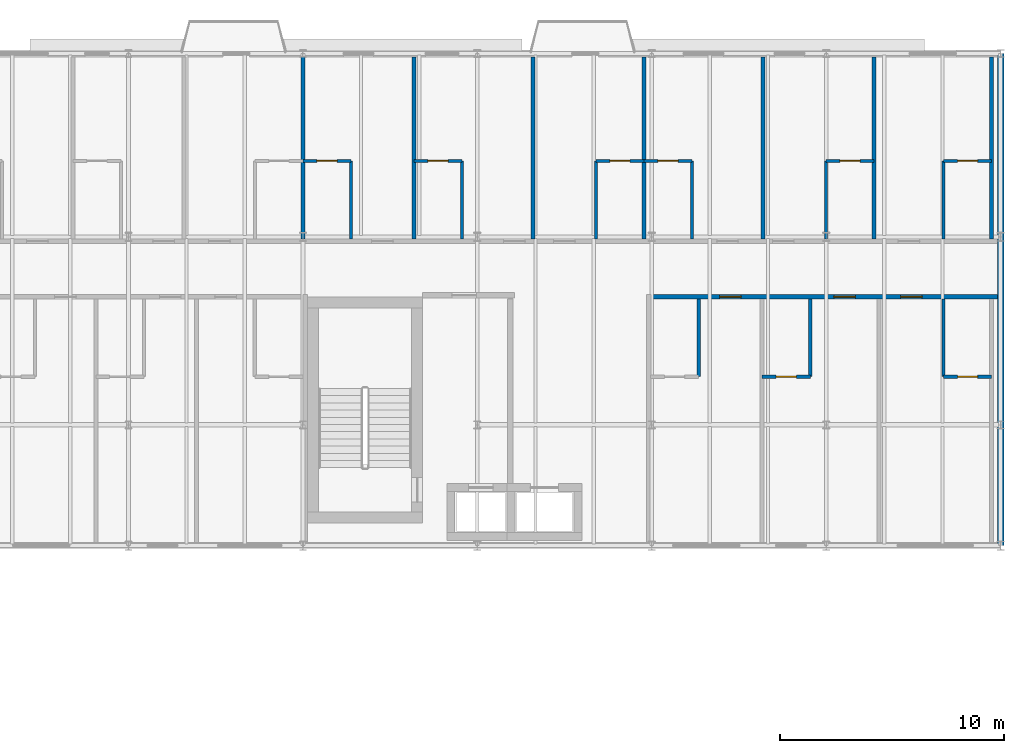
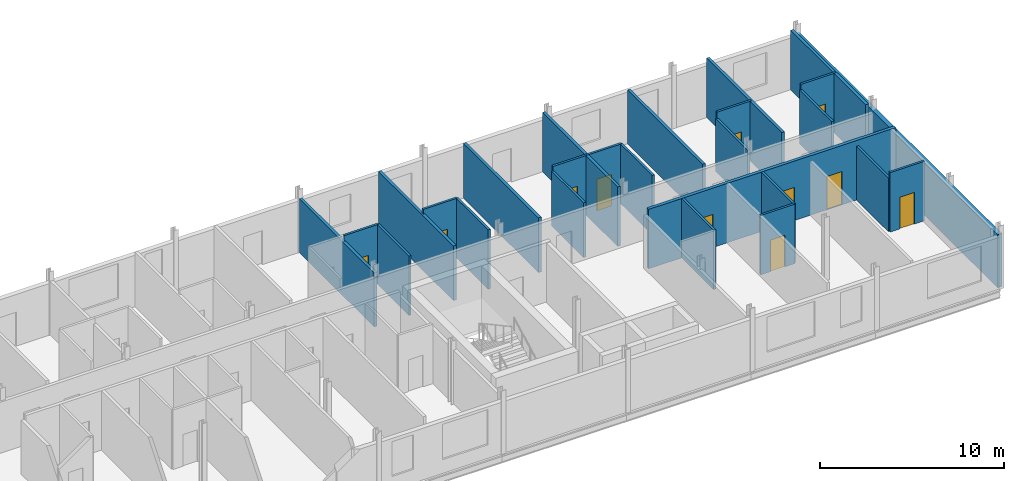
# One storey, part 17 of 22: 26 walls, 11 doors, 11 openings.
"""IFC4 building model written with IfcOpenShell, lengths in metres."""

from ifc_helpers import new_model, si_unit, direction, frame, frame_2d, origin, place, context, subcontext, project, spatial, rectangle, extrude, material, layer, layer_set, type_object, element, fill, save


model = new_model("IFC4")

# Units and contexts
model_context = context("Model", 3, precision=1e-05, world=origin(), true_north=direction((0.0, 1.0)))
body_context = subcontext(model_context, "Body", "Model", "MODEL_VIEW")
ifc_project = project(units=[si_unit("LENGTHUNIT", "METRE"), si_unit("AREAUNIT", "SQUARE_METRE"), si_unit("VOLUMEUNIT", "CUBIC_METRE"), si_unit("PLANEANGLEUNIT", "RADIAN"), si_unit("MASSUNIT", "GRAM", prefix="KILO")], contexts=[model_context])

# Site, building, storey
site_placement = place(None, origin())
site = spatial("IfcSite", under=ifc_project, at=site_placement, CompositionType="ELEMENT")
building_placement = place(site_placement, origin())
building = spatial("IfcBuilding", under=site, at=building_placement, Name="Sefraquen Railside Congress Hotel", CompositionType="ELEMENT")
storey_placement = place(building_placement, frame((0.0, 0.0, 42.60009765625)))
storey = spatial("IfcBuildingStorey", under=building, at=storey_placement, Name="L10", CompositionType="ELEMENT", Elevation=42.60009765625)

# Walls
ifc_material_1 = material(Name="Ochre Rabat calcarenite limestone and Concrete C40/50 backing", Category="masonry")
ifc_layer_1 = layer(ifc_material_1, 0.280029296875)
ifc_layer_set_1 = layer_set([ifc_layer_1], Name="Ochre Rabat calcarenite limestone and Concrete C40/50 backing")
wall_type_1 = type_object("IfcWallType", Name="TW-EW-280", PredefinedType="STANDARD", material=ifc_layer_set_1)
wall_1_placement = place(storey_placement, frame((95.39990234375, 96.0, 0.0), z_axis=(0.0, 0.0, 1.0), x_axis=(0.0, 1.0, 0.0)))
element("IfcWall", 1, at=wall_1_placement, inside=storey, type_object=wall_type_1, Name="Hotel L10 east gable facade wall", PredefinedType="STANDARD", context=body_context, shape_type="SweptSolid", body=[
    extrude(rectangle(XDim=22.0, YDim=0.280029296875, at=frame_2d((11.0, 0.0))), origin(), (0.0, 0.0, 1.0), 3.510009765625),
])
ifc_material_2 = material(Name="Moisture-resistant gypsum board", Category="gypsum")
ifc_layer_2 = layer(ifc_material_2, 0.139892578125)
ifc_layer_set_2 = layer_set([ifc_layer_2], Name="Moisture-resistant gypsum board")
wall_type_2 = type_object("IfcWallType", Name="TW-PW-140", PredefinedType="PARTITIONING", material=ifc_layer_set_2)
wall_2_placement = place(storey_placement, frame((66.35302734375, 109.699951171875, 0.0), z_axis=(0.0, 0.0, 1.0), x_axis=(0.0, 1.0, 0.0)))
element("IfcWall", 2, at=wall_2_placement, inside=storey, type_object=wall_type_2, Name="En-suite bathroom east wall RM-009", PredefinedType="PARTITIONING", context=body_context, shape_type="SweptSolid", body=[
    extrude(rectangle(XDim=3.5, YDim=0.139892578125, at=frame_2d((1.75, 0.0))), origin(), (0.0, 0.0, 1.0), 3.93994140625),
])

# Wall, opening, door
wall_3_placement = place(storey_placement, frame((64.202880859375, 113.199951171875, 0.0), z_axis=(0.0, 0.0, 1.0), x_axis=(1.0, 0.0, 0.0)))
wall_3 = element("IfcWall", 3, at=wall_3_placement, inside=storey, type_object=wall_type_2, Name="En-suite bathroom north wall RM-009", PredefinedType="PARTITIONING", context=body_context, shape_type="SweptSolid", body=[
    extrude(rectangle(XDim=2.150146484375, YDim=0.139892578125, at=frame_2d((1.0751953125, 0.0))), origin(), (0.0, 0.0, 1.0), 3.93994140625),
])
opening_1_placement = place(wall_3_placement, frame((0.625, 0.0, 0.0)))
opening_1 = element("IfcOpeningElement", 4, at=opening_1_placement, cuts=wall_3, Name="Opening ID-02", PredefinedType="OPENING", context=body_context, shape_type="SweptSolid", body=[
    extrude(rectangle(XDim=0.89990234375, YDim=2.10009765625, at=frame_2d((0.449951171875, 1.050048828125))), frame((0.0, 0.079833984375, 0.0), z_axis=(0.0, -1.0, 0.0), x_axis=(1.0, 0.0, 0.0)), (0.0, 0.0, 1.0), 0.159912109375),
])
ifc_material_3 = material(Name="Lacquered cedar joinery", Category="wood")
door_type_1 = type_object("IfcDoorType", Name="TD-ID-02", OperationType="NOTDEFINED", PredefinedType="DOOR", material=ifc_material_3)
door_1_placement = place(opening_1_placement, origin())
door_1 = element("IfcDoor", 5, at=door_1_placement, inside=storey, type_object=door_type_1, Name="En-suite bathroom door RM-009", OperationType="SINGLE_SWING_LEFT", OverallHeight=2.10009765625, OverallWidth=0.89990234375, PredefinedType="DOOR", context=body_context, shape_type="SweptSolid", body=[
    extrude(rectangle(XDim=0.89990234375, YDim=2.10009765625, at=frame_2d((0.449951171875, 1.050048828125))), frame((0.0, 0.02490234375, 0.0), z_axis=(0.0, -1.0, 0.0), x_axis=(1.0, 0.0, 0.0)), (0.0, 0.0, 1.0), 0.050048828125),
])
fill(opening_1, door_1)

# Wall
wall_4_placement = place(storey_placement, frame((71.31591796875, 109.699951171875, 0.0), z_axis=(0.0, 0.0, 1.0), x_axis=(0.0, 1.0, 0.0)))
element("IfcWall", 6, at=wall_4_placement, inside=storey, type_object=wall_type_2, Name="En-suite bathroom east wall RM-010", PredefinedType="PARTITIONING", context=body_context, shape_type="SweptSolid", body=[
    extrude(rectangle(XDim=3.5, YDim=0.139892578125, at=frame_2d((1.75, 0.0))), origin(), (0.0, 0.0, 1.0), 3.93994140625),
])

# Wall, opening, door
wall_5_placement = place(storey_placement, frame((69.166015625, 113.199951171875, 0.0), z_axis=(0.0, 0.0, 1.0), x_axis=(1.0, 0.0, 0.0)))
wall_5 = element("IfcWall", 7, at=wall_5_placement, inside=storey, type_object=wall_type_2, Name="En-suite bathroom north wall RM-010", PredefinedType="PARTITIONING", context=body_context, shape_type="SweptSolid", body=[
    extrude(rectangle(XDim=2.14990234375, YDim=0.139892578125, at=frame_2d((1.074951171875, 0.0))), origin(), (0.0, 0.0, 1.0), 3.93994140625),
])
opening_2_placement = place(wall_5_placement, frame((0.625, 0.0, 0.0)))
opening_2 = element("IfcOpeningElement", 8, at=opening_2_placement, cuts=wall_5, Name="Opening ID-02", PredefinedType="OPENING", context=body_context, shape_type="SweptSolid", body=[
    extrude(rectangle(XDim=0.89990234375, YDim=2.10009765625, at=frame_2d((0.449951171875, 1.050048828125))), frame((0.0, 0.079833984375, 0.0), z_axis=(0.0, -1.0, 0.0), x_axis=(1.0, 0.0, 0.0)), (0.0, 0.0, 1.0), 0.159912109375),
])
door_2_placement = place(opening_2_placement, origin())
door_2 = element("IfcDoor", 9, at=door_2_placement, inside=storey, type_object=door_type_1, Name="En-suite bathroom door RM-010", OperationType="SINGLE_SWING_LEFT", OverallHeight=2.10009765625, OverallWidth=0.89990234375, PredefinedType="DOOR", context=body_context, shape_type="SweptSolid", body=[
    extrude(rectangle(XDim=0.89990234375, YDim=2.10009765625, at=frame_2d((0.449951171875, 1.050048828125))), frame((0.0, 0.02490234375, 0.0), z_axis=(0.0, -1.0, 0.0), x_axis=(1.0, 0.0, 0.0)), (0.0, 0.0, 1.0), 0.050048828125),
])
fill(opening_2, door_2)

# Wall
wall_6_placement = place(storey_placement, frame((77.301025390625, 109.699951171875, 0.0), z_axis=(0.0, 0.0, 1.0), x_axis=(0.0, 1.0, 0.0)))
element("IfcWall", 10, at=wall_6_placement, inside=storey, type_object=wall_type_2, Name="En-suite bathroom west wall RM-011", PredefinedType="PARTITIONING", context=body_context, shape_type="SweptSolid", body=[
    extrude(rectangle(XDim=3.5, YDim=0.139892578125, at=frame_2d((1.75, 0.0))), origin(), (0.0, 0.0, 1.0), 3.6298828125),
])

# Wall, opening, door
wall_7_placement = place(storey_placement, frame((77.301025390625, 113.199951171875, 0.0), z_axis=(0.0, 0.0, 1.0), x_axis=(1.0, 0.0, 0.0)))
wall_7 = element("IfcWall", 11, at=wall_7_placement, inside=storey, type_object=wall_type_2, Name="En-suite bathroom north wall RM-011", PredefinedType="PARTITIONING", context=body_context, shape_type="SweptSolid", body=[
    extrude(rectangle(XDim=2.14990234375, YDim=0.139892578125, at=frame_2d((1.074951171875, 0.0))), origin(), (0.0, 0.0, 1.0), 3.93994140625),
])
opening_3_placement = place(wall_7_placement, frame((0.625, 0.0, 0.0)))
opening_3 = element("IfcOpeningElement", 12, at=opening_3_placement, cuts=wall_7, Name="Opening ID-02", PredefinedType="OPENING", context=body_context, shape_type="SweptSolid", body=[
    extrude(rectangle(XDim=0.89990234375, YDim=2.10009765625, at=frame_2d((0.449951171875, 1.050048828125))), frame((0.0, 0.079833984375, 0.0), z_axis=(0.0, -1.0, 0.0), x_axis=(1.0, 0.0, 0.0)), (0.0, 0.0, 1.0), 0.159912109375),
])
door_3_placement = place(opening_3_placement, origin())
door_3 = element("IfcDoor", 13, at=door_3_placement, inside=storey, type_object=door_type_1, Name="En-suite bathroom door RM-011", OperationType="SINGLE_SWING_LEFT", OverallHeight=2.10009765625, OverallWidth=0.89990234375, PredefinedType="DOOR", context=body_context, shape_type="SweptSolid", body=[
    extrude(rectangle(XDim=0.89990234375, YDim=2.10009765625, at=frame_2d((0.449951171875, 1.050048828125))), frame((0.0, 0.02490234375, 0.0), z_axis=(0.0, -1.0, 0.0), x_axis=(1.0, 0.0, 0.0)), (0.0, 0.0, 1.0), 0.050048828125),
])
fill(opening_3, door_3)

# Wall
wall_8_placement = place(storey_placement, frame((81.60107421875, 109.699951171875, 0.0), z_axis=(0.0, 0.0, 1.0), x_axis=(0.0, 1.0, 0.0)))
element("IfcWall", 14, at=wall_8_placement, inside=storey, type_object=wall_type_2, Name="En-suite bathroom east wall RM-012", PredefinedType="PARTITIONING", context=body_context, shape_type="SweptSolid", body=[
    extrude(rectangle(XDim=3.5, YDim=0.139892578125, at=frame_2d((1.75, 0.0))), origin(), (0.0, 0.0, 1.0), 3.93994140625),
])

# Wall, opening, door
wall_9_placement = place(storey_placement, frame((79.450927734375, 113.199951171875, 0.0), z_axis=(0.0, 0.0, 1.0), x_axis=(1.0, 0.0, 0.0)))
wall_9 = element("IfcWall", 15, at=wall_9_placement, inside=storey, type_object=wall_type_2, Name="En-suite bathroom north wall RM-012", PredefinedType="PARTITIONING", context=body_context, shape_type="SweptSolid", body=[
    extrude(rectangle(XDim=2.150146484375, YDim=0.139892578125, at=frame_2d((1.0751953125, 0.0))), origin(), (0.0, 0.0, 1.0), 3.93994140625),
])
opening_4_placement = place(wall_9_placement, frame((0.625, 0.0, 0.0)))
opening_4 = element("IfcOpeningElement", 16, at=opening_4_placement, cuts=wall_9, Name="Opening ID-02", PredefinedType="OPENING", context=body_context, shape_type="SweptSolid", body=[
    extrude(rectangle(XDim=0.89990234375, YDim=2.10009765625, at=frame_2d((0.449951171875, 1.050048828125))), frame((0.0, 0.079833984375, 0.0), z_axis=(0.0, -1.0, 0.0), x_axis=(1.0, 0.0, 0.0)), (0.0, 0.0, 1.0), 0.159912109375),
])
door_4_placement = place(opening_4_placement, origin())
door_4 = element("IfcDoor", 17, at=door_4_placement, inside=storey, type_object=door_type_1, Name="En-suite bathroom door RM-012", OperationType="SINGLE_SWING_LEFT", OverallHeight=2.10009765625, OverallWidth=0.89990234375, PredefinedType="DOOR", context=body_context, shape_type="SweptSolid", body=[
    extrude(rectangle(XDim=0.89990234375, YDim=2.10009765625, at=frame_2d((0.449951171875, 1.050048828125))), frame((0.0, 0.02490234375, 0.0), z_axis=(0.0, -1.0, 0.0), x_axis=(1.0, 0.0, 0.0)), (0.0, 0.0, 1.0), 0.050048828125),
])
fill(opening_4, door_4)

# Wall
wall_10_placement = place(storey_placement, frame((87.5869140625, 109.699951171875, 0.0), z_axis=(0.0, 0.0, 1.0), x_axis=(0.0, 1.0, 0.0)))
element("IfcWall", 18, at=wall_10_placement, inside=storey, type_object=wall_type_2, Name="En-suite bathroom west wall RM-013", PredefinedType="PARTITIONING", context=body_context, shape_type="SweptSolid", body=[
    extrude(rectangle(XDim=3.5, YDim=0.139892578125, at=frame_2d((1.75, 0.0))), origin(), (0.0, 0.0, 1.0), 3.510009765625),
])

# Wall, opening, door
wall_11_placement = place(storey_placement, frame((87.5869140625, 113.199951171875, 0.0), z_axis=(0.0, 0.0, 1.0), x_axis=(1.0, 0.0, 0.0)))
wall_11 = element("IfcWall", 19, at=wall_11_placement, inside=storey, type_object=wall_type_2, Name="En-suite bathroom north wall RM-013", PredefinedType="PARTITIONING", context=body_context, shape_type="SweptSolid", body=[
    extrude(rectangle(XDim=2.150146484375, YDim=0.139892578125, at=frame_2d((1.0751953125, 0.0))), origin(), (0.0, 0.0, 1.0), 3.93994140625),
])
opening_5_placement = place(wall_11_placement, frame((0.625, 0.0, 0.0)))
opening_5 = element("IfcOpeningElement", 20, at=opening_5_placement, cuts=wall_11, Name="Opening ID-02", PredefinedType="OPENING", context=body_context, shape_type="SweptSolid", body=[
    extrude(rectangle(XDim=0.89990234375, YDim=2.10009765625, at=frame_2d((0.449951171875, 1.050048828125))), frame((0.0, 0.079833984375, 0.0), z_axis=(0.0, -1.0, 0.0), x_axis=(1.0, 0.0, 0.0)), (0.0, 0.0, 1.0), 0.159912109375),
])
door_5_placement = place(opening_5_placement, origin())
door_5 = element("IfcDoor", 21, at=door_5_placement, inside=storey, type_object=door_type_1, Name="En-suite bathroom door RM-013", OperationType="SINGLE_SWING_LEFT", OverallHeight=2.10009765625, OverallWidth=0.89990234375, PredefinedType="DOOR", context=body_context, shape_type="SweptSolid", body=[
    extrude(rectangle(XDim=0.89990234375, YDim=2.10009765625, at=frame_2d((0.449951171875, 1.050048828125))), frame((0.0, 0.02490234375, 0.0), z_axis=(0.0, -1.0, 0.0), x_axis=(1.0, 0.0, 0.0)), (0.0, 0.0, 1.0), 0.050048828125),
])
fill(opening_5, door_5)

# Wall
wall_12_placement = place(storey_placement, frame((92.85009765625, 109.699951171875, 0.0), z_axis=(0.0, 0.0, 1.0), x_axis=(0.0, 1.0, 0.0)))
element("IfcWall", 22, at=wall_12_placement, inside=storey, type_object=wall_type_2, Name="En-suite bathroom west wall RM-014", PredefinedType="PARTITIONING", context=body_context, shape_type="SweptSolid", body=[
    extrude(rectangle(XDim=3.5, YDim=0.139892578125, at=frame_2d((1.75, 0.0))), origin(), (0.0, 0.0, 1.0), 3.56982421875),
])

# Wall, opening, door
wall_13_placement = place(storey_placement, frame((92.85009765625, 113.199951171875, 0.0), z_axis=(0.0, 0.0, 1.0), x_axis=(1.0, 0.0, 0.0)))
wall_13 = element("IfcWall", 23, at=wall_13_placement, inside=storey, type_object=wall_type_2, Name="En-suite bathroom north wall RM-014", PredefinedType="PARTITIONING", context=body_context, shape_type="SweptSolid", body=[
    extrude(rectangle(XDim=2.14990234375, YDim=0.139892578125, at=frame_2d((1.074951171875, 0.0))), origin(), (0.0, 0.0, 1.0), 3.93994140625),
])
opening_6_placement = place(wall_13_placement, frame((0.625, 0.0, 0.0)))
opening_6 = element("IfcOpeningElement", 24, at=opening_6_placement, cuts=wall_13, Name="Opening ID-02", PredefinedType="OPENING", context=body_context, shape_type="SweptSolid", body=[
    extrude(rectangle(XDim=0.89990234375, YDim=2.10009765625, at=frame_2d((0.449951171875, 1.050048828125))), frame((0.0, 0.079833984375, 0.0), z_axis=(0.0, -1.0, 0.0), x_axis=(1.0, 0.0, 0.0)), (0.0, 0.0, 1.0), 0.159912109375),
])
door_6_placement = place(opening_6_placement, origin())
door_6 = element("IfcDoor", 25, at=door_6_placement, inside=storey, type_object=door_type_1, Name="En-suite bathroom door RM-014", OperationType="SINGLE_SWING_LEFT", OverallHeight=2.10009765625, OverallWidth=0.89990234375, PredefinedType="DOOR", context=body_context, shape_type="SweptSolid", body=[
    extrude(rectangle(XDim=0.89990234375, YDim=2.10009765625, at=frame_2d((0.449951171875, 1.050048828125))), frame((0.0, 0.02490234375, 0.0), z_axis=(0.0, -1.0, 0.0), x_axis=(1.0, 0.0, 0.0)), (0.0, 0.0, 1.0), 0.050048828125),
])
fill(opening_6, door_6)

# Walls
for number, where, z_axis, x_axis, name in (
    (26, (81.89990234375, 103.550048828125, 0.0), (0.0, 0.0, 1.0), (0.0, 1.0, 0.0), "En-suite bathroom east wall RM-020"),
    (27, (86.886962890625, 103.550048828125, 0.0), (0.0, 0.0, 1.0), (0.0, 1.0, 0.0), "En-suite bathroom east wall RM-021"),
):
    element("IfcWall", number, at=place(storey_placement, frame(where, z_axis=z_axis, x_axis=x_axis)), inside=storey, type_object=wall_type_2, Name=name, PredefinedType="PARTITIONING", context=body_context, shape_type="SweptSolid", body=[
        extrude(rectangle(XDim=3.469970703125, YDim=0.139892578125, at=frame_2d((1.73486328125, 0.0))), origin(), (0.0, 0.0, 1.0), 3.93994140625),
    ])

# Wall, opening, door
wall_14_placement = place(storey_placement, frame((84.737060546875, 103.550048828125, 0.0), z_axis=(0.0, 0.0, 1.0), x_axis=(1.0, 0.0, 0.0)))
wall_14 = element("IfcWall", 28, at=wall_14_placement, inside=storey, type_object=wall_type_2, Name="En-suite bathroom south wall RM-021", PredefinedType="PARTITIONING", context=body_context, shape_type="SweptSolid", body=[
    extrude(rectangle(XDim=2.14990234375, YDim=0.139892578125, at=frame_2d((1.074951171875, 0.0))), origin(), (0.0, 0.0, 1.0), 3.93994140625),
])
opening_7_placement = place(wall_14_placement, frame((0.625, 0.0, 0.0)))
opening_7 = element("IfcOpeningElement", 29, at=opening_7_placement, cuts=wall_14, Name="Opening ID-02", PredefinedType="OPENING", context=body_context, shape_type="SweptSolid", body=[
    extrude(rectangle(XDim=0.89990234375, YDim=2.10009765625, at=frame_2d((0.449951171875, 1.050048828125))), frame((0.0, 0.079833984375, 0.0), z_axis=(0.0, -1.0, 0.0), x_axis=(1.0, 0.0, 0.0)), (0.0, 0.0, 1.0), 0.159912109375),
])
door_7_placement = place(opening_7_placement, frame((0.89990234375, 0.0, 0.0), z_axis=(0.0, 0.0, 1.0), x_axis=(-1.0, 0.0, 0.0)))
door_7 = element("IfcDoor", 30, at=door_7_placement, inside=storey, type_object=door_type_1, Name="En-suite bathroom door RM-021", OperationType="SINGLE_SWING_LEFT", OverallHeight=2.10009765625, OverallWidth=0.89990234375, PredefinedType="DOOR", context=body_context, shape_type="SweptSolid", body=[
    extrude(rectangle(XDim=0.89990234375, YDim=2.10009765625, at=frame_2d((0.449951171875, 1.050048828125))), frame((0.0, 0.02490234375, 0.0), z_axis=(0.0, -1.0, 0.0), x_axis=(1.0, 0.0, 0.0)), (0.0, 0.0, 1.0), 0.050048828125),
])
fill(opening_7, door_7)

# Wall
wall_15_placement = place(storey_placement, frame((92.85009765625, 103.550048828125, 0.0), z_axis=(0.0, 0.0, 1.0), x_axis=(0.0, 1.0, 0.0)))
element("IfcWall", 31, at=wall_15_placement, inside=storey, type_object=wall_type_2, Name="En-suite bathroom west wall RM-022", PredefinedType="PARTITIONING", context=body_context, shape_type="SweptSolid", body=[
    extrude(rectangle(XDim=3.469970703125, YDim=0.139892578125, at=frame_2d((1.73486328125, 0.0))), origin(), (0.0, 0.0, 1.0), 3.56982421875),
])

# Wall, opening, door
wall_16_placement = place(storey_placement, frame((92.85009765625, 103.550048828125, 0.0), z_axis=(0.0, 0.0, 1.0), x_axis=(1.0, 0.0, 0.0)))
wall_16 = element("IfcWall", 32, at=wall_16_placement, inside=storey, type_object=wall_type_2, Name="En-suite bathroom south wall RM-022", PredefinedType="PARTITIONING", context=body_context, shape_type="SweptSolid", body=[
    extrude(rectangle(XDim=2.14990234375, YDim=0.139892578125, at=frame_2d((1.074951171875, 0.0))), origin(), (0.0, 0.0, 1.0), 3.93994140625),
])
opening_8_placement = place(wall_16_placement, frame((0.625, 0.0, 0.0)))
opening_8 = element("IfcOpeningElement", 33, at=opening_8_placement, cuts=wall_16, Name="Opening ID-02", PredefinedType="OPENING", context=body_context, shape_type="SweptSolid", body=[
    extrude(rectangle(XDim=0.89990234375, YDim=2.10009765625, at=frame_2d((0.449951171875, 1.050048828125))), frame((0.0, 0.079833984375, 0.0), z_axis=(0.0, -1.0, 0.0), x_axis=(1.0, 0.0, 0.0)), (0.0, 0.0, 1.0), 0.159912109375),
])
door_8_placement = place(opening_8_placement, frame((0.89990234375, 0.0, 0.0), z_axis=(0.0, 0.0, 1.0), x_axis=(-1.0, 0.0, 0.0)))
door_8 = element("IfcDoor", 34, at=door_8_placement, inside=storey, type_object=door_type_1, Name="En-suite bathroom door RM-022", OperationType="SINGLE_SWING_LEFT", OverallHeight=2.10009765625, OverallWidth=0.89990234375, PredefinedType="DOOR", context=body_context, shape_type="SweptSolid", body=[
    extrude(rectangle(XDim=0.89990234375, YDim=2.10009765625, at=frame_2d((0.449951171875, 1.050048828125))), frame((0.0, 0.02490234375, 0.0), z_axis=(0.0, -1.0, 0.0), x_axis=(1.0, 0.0, 0.0)), (0.0, 0.0, 1.0), 0.050048828125),
])
fill(opening_8, door_8)

# Walls
ifc_material_4 = material(Name="Acoustic gypsum board on metal stud", Category="gypsum")
ifc_layer_3 = layer(ifc_material_4, 0.179931640625)
ifc_layer_set_3 = layer_set([ifc_layer_3], Name="Acoustic gypsum board on metal stud")
wall_type_3 = type_object("IfcWallType", Name="TW-PW-180", PredefinedType="PARTITIONING", material=ifc_layer_set_3)
wall_17_placement = place(storey_placement, frame((64.202880859375, 109.699951171875, 0.0), z_axis=(0.0, 0.0, 1.0), x_axis=(0.0, 1.0, 0.0)))
element("IfcWall", 35, at=wall_17_placement, inside=storey, type_object=wall_type_3, Name="Guest room demising wall RM-008", PredefinedType="PARTITIONING", context=body_context, shape_type="SweptSolid", body=[
    extrude(rectangle(XDim=8.150146484375, YDim=0.179931640625, at=frame_2d((4.0751953125, 0.0))), origin(), (0.0, 0.0, 1.0), 3.56982421875),
])
for number, where, z_axis, x_axis, name in (
    (36, (69.166015625, 109.699951171875, 0.0), (0.0, 0.0, 1.0), (0.0, 1.0, 0.0), "Guest room demising wall RM-009"),
    (37, (74.489013671875, 109.699951171875, 0.0), (0.0, 0.0, 1.0), (0.0, 1.0, 0.0), "Guest room demising wall RM-010"),
):
    element("IfcWall", number, at=place(storey_placement, frame(where, z_axis=z_axis, x_axis=x_axis)), inside=storey, type_object=wall_type_3, Name=name, PredefinedType="PARTITIONING", context=body_context, shape_type="SweptSolid", body=[
        extrude(rectangle(XDim=8.150146484375, YDim=0.179931640625, at=frame_2d((4.0751953125, 0.0))), origin(), (0.0, 0.0, 1.0), 3.6298828125),
    ])
wall_18_placement = place(storey_placement, frame((79.450927734375, 109.699951171875, 0.0), z_axis=(0.0, 0.0, 1.0), x_axis=(0.0, 1.0, 0.0)))
element("IfcWall", 38, at=wall_18_placement, inside=storey, type_object=wall_type_3, Name="Guest room demising wall RM-011", PredefinedType="PARTITIONING", context=body_context, shape_type="SweptSolid", body=[
    extrude(rectangle(XDim=8.150146484375, YDim=0.179931640625, at=frame_2d((4.0751953125, 0.0))), origin(), (0.0, 0.0, 1.0), 3.93994140625),
])
wall_19_placement = place(storey_placement, frame((84.77392578125, 109.699951171875, 0.0), z_axis=(0.0, 0.0, 1.0), x_axis=(0.0, 1.0, 0.0)))
element("IfcWall", 39, at=wall_19_placement, inside=storey, type_object=wall_type_3, Name="Guest room demising wall RM-012", PredefinedType="PARTITIONING", context=body_context, shape_type="SweptSolid", body=[
    extrude(rectangle(XDim=8.150146484375, YDim=0.179931640625, at=frame_2d((4.0751953125, 0.0))), origin(), (0.0, 0.0, 1.0), 3.56982421875),
])
for number, where, z_axis, x_axis, name in (
    (40, (89.737060546875, 109.699951171875, 0.0), (0.0, 0.0, 1.0), (0.0, 1.0, 0.0), "Guest room demising wall RM-013"),
    (41, (95.0, 109.699951171875, 0.0), (0.0, 0.0, 1.0), (0.0, 1.0, 0.0), "Guest room demising wall RM-014"),
):
    element("IfcWall", number, at=place(storey_placement, frame(where, z_axis=z_axis, x_axis=x_axis)), inside=storey, type_object=wall_type_3, Name=name, PredefinedType="PARTITIONING", context=body_context, shape_type="SweptSolid", body=[
        extrude(rectangle(XDim=8.150146484375, YDim=0.179931640625, at=frame_2d((4.0751953125, 0.0))), origin(), (0.0, 0.0, 1.0), 3.93994140625),
    ])

# Wall, openings, doors
ifc_layer_4 = layer(ifc_material_4, 0.199951171875)
ifc_layer_set_4 = layer_set([ifc_layer_4], Name="Acoustic gypsum board on metal stud")
wall_type_4 = type_object("IfcWallType", Name="TW-PW-200", PredefinedType="PARTITIONING", material=ifc_layer_set_4)
wall_20_placement = place(storey_placement, frame((79.760009765625, 107.1201171875, 0.0), z_axis=(0.0, 0.0, 1.0), x_axis=(1.0, 0.0, 0.0)))
wall_20 = element("IfcWall", 42, at=wall_20_placement, inside=storey, type_object=wall_type_4, Name="Hotel L10 south-east corridor fire-rated partition", PredefinedType="PARTITIONING", context=body_context, shape_type="SweptSolid", body=[
    extrude(rectangle(XDim=15.5, YDim=0.199951171875, at=frame_2d((7.75, 0.0))), origin(), (0.0, 0.0, 1.0), 3.93994140625),
])
opening_9_placement = place(wall_20_placement, frame((3.077880859375, 0.0, 0.0)))
opening_9 = element("IfcOpeningElement", 43, at=opening_9_placement, cuts=wall_20, Name="Opening GD-02", PredefinedType="OPENING", context=body_context, shape_type="SweptSolid", body=[
    extrude(rectangle(XDim=0.9599609375, YDim=2.199951171875, at=frame_2d((0.47998046875, 1.10009765625))), frame((0.0, 0.10986328125, 0.0), z_axis=(0.0, -1.0, 0.0), x_axis=(1.0, 0.0, 0.0)), (0.0, 0.0, 1.0), 0.219970703125),
])
opening_10_placement = place(wall_20_placement, frame((8.18603515625, 0.0, 0.0)))
opening_10 = element("IfcOpeningElement", 44, at=opening_10_placement, cuts=wall_20, Name="Opening GD-02", PredefinedType="OPENING", context=body_context, shape_type="SweptSolid", body=[
    extrude(rectangle(XDim=0.9599609375, YDim=2.199951171875, at=frame_2d((0.47998046875, 1.10009765625))), frame((0.0, 0.10986328125, 0.0), z_axis=(0.0, -1.0, 0.0), x_axis=(1.0, 0.0, 0.0)), (0.0, 0.0, 1.0), 0.219970703125),
])
opening_11_placement = place(wall_20_placement, frame((11.1669921875, 0.0, 0.0)))
opening_11 = element("IfcOpeningElement", 45, at=opening_11_placement, cuts=wall_20, Name="Opening GD-02", PredefinedType="OPENING", context=body_context, shape_type="SweptSolid", body=[
    extrude(rectangle(XDim=0.9599609375, YDim=2.199951171875, at=frame_2d((0.47998046875, 1.10009765625))), frame((0.0, 0.10986328125, 0.0), z_axis=(0.0, -1.0, 0.0), x_axis=(1.0, 0.0, 0.0)), (0.0, 0.0, 1.0), 0.219970703125),
])
ifc_material_5 = material(Name="Solid Atlas cedar timber fire leaf", Category="wood")
door_type_2 = type_object("IfcDoorType", Name="TD-GD-02", OperationType="NOTDEFINED", PredefinedType="DOOR", material=ifc_material_5)
door_9_placement = place(opening_9_placement, frame((0.9599609375, 0.0, 0.0), z_axis=(0.0, 0.0, 1.0), x_axis=(-1.0, 0.0, 0.0)))
door_9 = element("IfcDoor", 46, at=door_9_placement, inside=storey, type_object=door_type_2, Name="Guest room entrance fire door RM-020", OperationType="SINGLE_SWING_RIGHT", OverallHeight=2.199951171875, OverallWidth=0.9599609375, PredefinedType="DOOR", context=body_context, shape_type="SweptSolid", body=[
    extrude(rectangle(XDim=0.9599609375, YDim=2.199951171875, at=frame_2d((0.47998046875, 1.10009765625))), frame((0.0, 0.02490234375, 0.0), z_axis=(0.0, -1.0, 0.0), x_axis=(1.0, 0.0, 0.0)), (0.0, 0.0, 1.0), 0.050048828125),
])
fill(opening_9, door_9)
door_10_placement = place(opening_10_placement, frame((0.9599609375, 0.0, 0.0), z_axis=(0.0, 0.0, 1.0), x_axis=(-1.0, 0.0, 0.0)))
door_10 = element("IfcDoor", 47, at=door_10_placement, inside=storey, type_object=door_type_2, Name="Guest room entrance fire door RM-021", OperationType="SINGLE_SWING_RIGHT", OverallHeight=2.199951171875, OverallWidth=0.9599609375, PredefinedType="DOOR", context=body_context, shape_type="SweptSolid", body=[
    extrude(rectangle(XDim=0.9599609375, YDim=2.199951171875, at=frame_2d((0.47998046875, 1.10009765625))), frame((0.0, 0.02490234375, 0.0), z_axis=(0.0, -1.0, 0.0), x_axis=(1.0, 0.0, 0.0)), (0.0, 0.0, 1.0), 0.050048828125),
])
fill(opening_10, door_10)
door_11_placement = place(opening_11_placement, frame((0.9599609375, 0.0, 0.0), z_axis=(0.0, 0.0, 1.0), x_axis=(-1.0, 0.0, 0.0)))
door_11 = element("IfcDoor", 48, at=door_11_placement, inside=storey, type_object=door_type_2, Name="Guest room entrance fire door RM-022", OperationType="SINGLE_SWING_RIGHT", OverallHeight=2.199951171875, OverallWidth=0.9599609375, PredefinedType="DOOR", context=body_context, shape_type="SweptSolid", body=[
    extrude(rectangle(XDim=0.9599609375, YDim=2.199951171875, at=frame_2d((0.47998046875, 1.10009765625))), frame((0.0, 0.02490234375, 0.0), z_axis=(0.0, -1.0, 0.0), x_axis=(1.0, 0.0, 0.0)), (0.0, 0.0, 1.0), 0.050048828125),
])
fill(opening_11, door_11)

save(model, "model.ifc")
